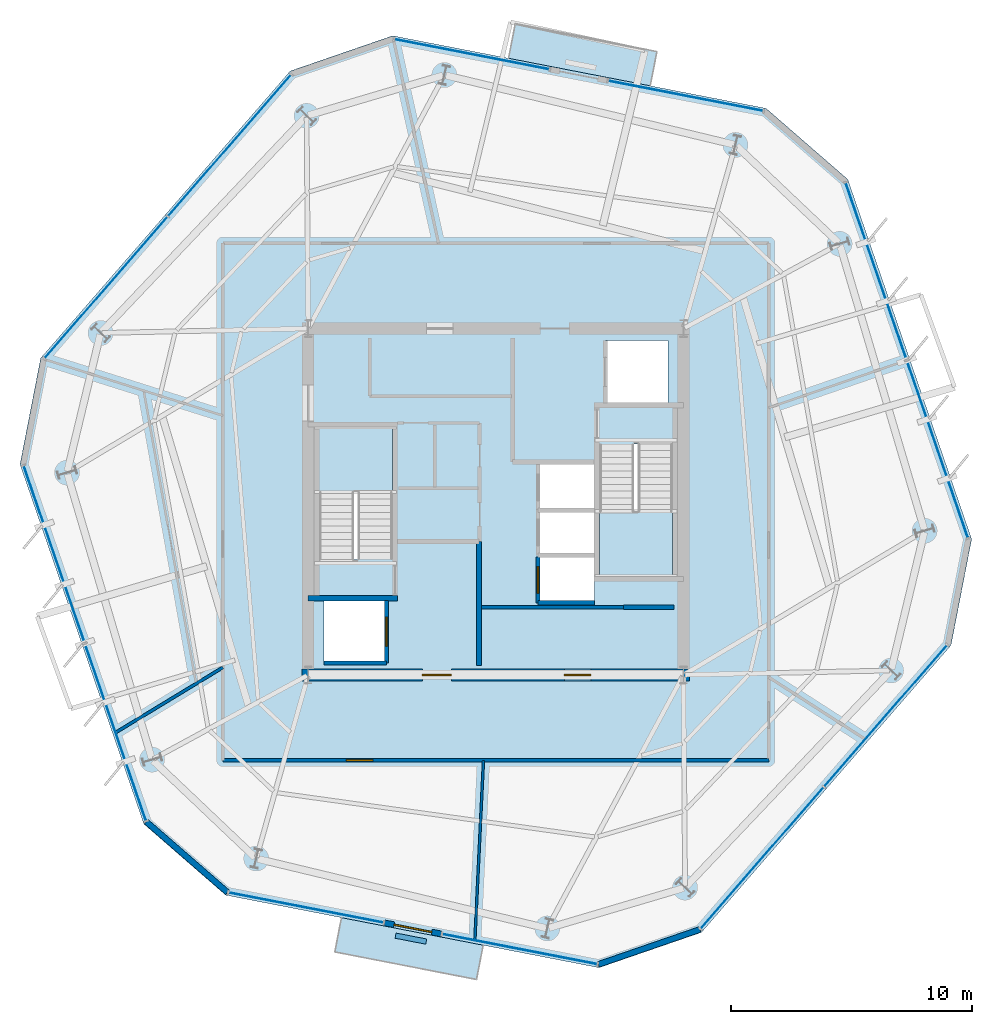
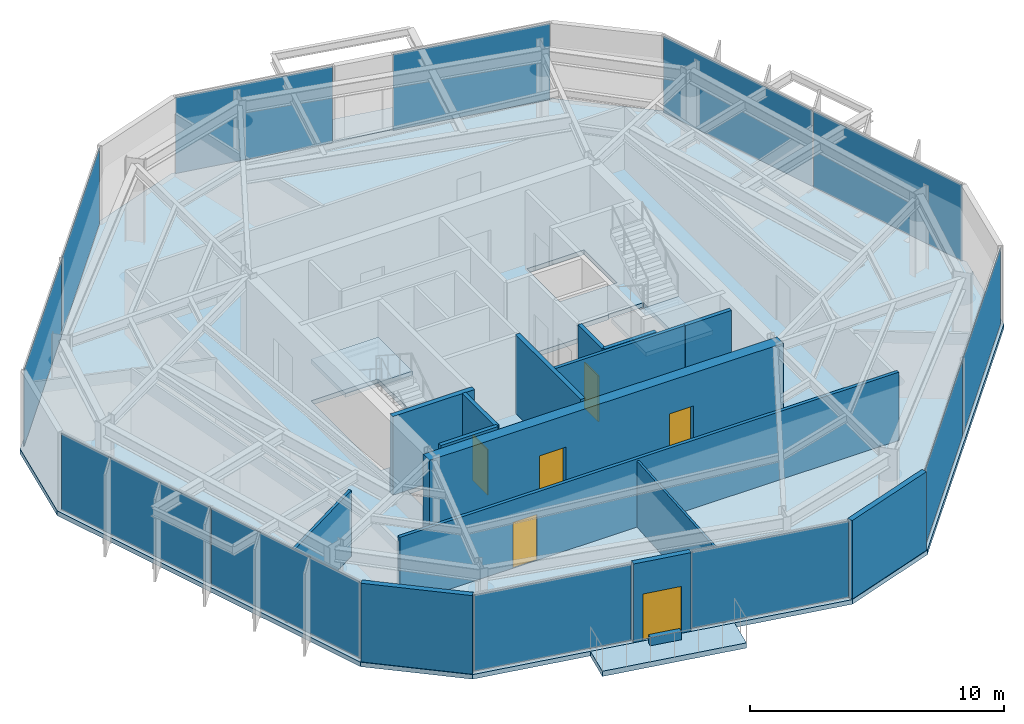
# One storey, part 6 of 11: 16 walls, 12 plates, 6 doors, 5 slabs, 6 openings, 10 elements without a shape of their own.
"""IFC4 building model written with IfcOpenShell, lengths in metres."""

import ifcopenshell
import ifcopenshell.guid

model = None  # the IFC model being written
_history = None  # IfcOwnerHistory: only IFC2X3 demands one
_inside = {}  # id of a spatial element -> (the spatial element, [elements in it])
_under = {}  # id of a project, library or spatial element -> (it, [spatial elements below it])
_declared = {}  # id of a project -> (the project, [libraries it declares])
_typed = {}  # id of a type object -> (the type object, [elements of that type])
_made_of = {}  # id of a material, layer set ... -> (it, [elements and type objects made of it])


def new_model(schema):
    """Start an empty IFC model of exactly this schema.

    Asked for "IFC4X3", IfcOpenShell would pick the latest addendum, in which some entities
    have other attributes; the version numbers below select the first issue.
    IFC2X3 requires an IfcOwnerHistory on every rooted entity: one is made here for all.
    """
    global model, _history
    if schema == "IFC4X3":
        model = ifcopenshell.file(schema_version=(4, 3, 0, 0))
    else:
        model = ifcopenshell.file(schema=schema)
    _inside.clear()
    _under.clear()
    _declared.clear()
    _typed.clear()
    _made_of.clear()
    _history = None
    if model.schema == "IFC2X3":
        org = make("IfcOrganization", Name="unknown")
        user = make(
            "IfcPersonAndOrganization",
            ThePerson=make("IfcPerson", FamilyName="unknown"),
            TheOrganization=org,
        )
        app = make(
            "IfcApplication",
            ApplicationDeveloper=org,
            Version="unknown",
            ApplicationFullName="unknown",
            ApplicationIdentifier="unknown",
        )
        _history = make(
            "IfcOwnerHistory",
            OwningUser=user,
            OwningApplication=app,
            ChangeAction="ADDED",
            CreationDate=0,
        )
    return model


def make(cls, **values):
    """One entity of the class cls with the attributes given. An attribute that is None is left unset."""
    return model.create_entity(
        cls, **{name: value for name, value in values.items() if value is not None}
    )


def rooted(cls, **values):
    """An entity with a GlobalId (a new one), such as an element, a storey or a relation."""
    return make(cls, GlobalId=ifcopenshell.guid.new(), OwnerHistory=_history, **values)


def si_unit(unit_type, name, prefix=None):
    """IfcSIUnit, for example si_unit("LENGTHUNIT", "METRE", prefix="MILLI")."""
    return make("IfcSIUnit", UnitType=unit_type, Prefix=prefix, Name=name)


def assignment(units):
    """IfcUnitAssignment: the units of a project."""
    return None if units is None else make("IfcUnitAssignment", Units=units)


def point(xyz):
    """IfcCartesianPoint."""
    return None if xyz is None else make("IfcCartesianPoint", Coordinates=xyz)


def direction(xyz):
    """IfcDirection."""
    return None if xyz is None else make("IfcDirection", DirectionRatios=xyz)


def frame(location, z_axis=None, x_axis=None):
    """IfcAxis2Placement3D, a coordinate frame: its origin and axes. An axis left out is left unset."""
    return make(
        "IfcAxis2Placement3D",
        Location=point(location),
        Axis=direction(z_axis),
        RefDirection=direction(x_axis),
    )


def frame_2d(location, x_axis=None):
    """IfcAxis2Placement2D, a coordinate frame in the plane: its origin and x axis."""
    return make(
        "IfcAxis2Placement2D", Location=point(location), RefDirection=direction(x_axis)
    )


def origin():
    """The frame at (0, 0, 0) with its axes left unset."""
    return frame((0.0, 0.0, 0.0))


def origin_2d():
    """The frame at (0, 0) in the plane with its x axis left unset."""
    return frame_2d((0.0, 0.0))


def place(relative_to, where):
    """IfcLocalPlacement: puts the frame where relative to a parent placement (None: the world)."""
    return make(
        "IfcLocalPlacement", PlacementRelTo=relative_to, RelativePlacement=where
    )


def context(
    kind, dimensions, precision=None, world=None, true_north=None, identifier=None
):
    """IfcGeometricRepresentationContext, for example the 3D "Model" context."""
    return make(
        "IfcGeometricRepresentationContext",
        ContextIdentifier=identifier,
        ContextType=kind,
        CoordinateSpaceDimension=dimensions,
        Precision=precision,
        WorldCoordinateSystem=world,
        TrueNorth=true_north,
    )


def subcontext(parent, identifier, kind, view, scale=None):
    """IfcGeometricRepresentationSubContext, for example "Body" below "Model"."""
    return make(
        "IfcGeometricRepresentationSubContext",
        ContextIdentifier=identifier,
        ContextType=kind,
        ParentContext=parent,
        TargetScale=scale,
        TargetView=view,
    )


def project(units=None, contexts=None):
    """IfcProject with its units and contexts."""
    return rooted(
        "IfcProject",
        Name="project",
        RepresentationContexts=contexts,
        UnitsInContext=assignment(units),
    )


def spatial(cls, under=None, at=None, **own):
    """A site, building, storey or space (cls), placed at a placement, below another one or the project."""
    s = rooted(cls, ObjectPlacement=at, **own)
    if under is not None:
        _under.setdefault(under.id(), (under, []))[1].append(s)
    return s


def polyline(points):
    """IfcPolyline through the points."""
    return make("IfcPolyline", Points=[point(p) for p in points])


def profile(cls, at=None, kind="AREA", **sizes):
    """A parametric profile (cls). Its sizes go by their IFC names, for example OverallWidth=200.0."""
    return make(cls, ProfileType=kind, Position=at, **sizes)


def rectangle(**sizes):
    """IfcRectangleProfileDef."""
    return profile("IfcRectangleProfileDef", **sizes)


def outline(outer, holes=None, kind="AREA"):
    """IfcArbitraryClosedProfileDef: a profile drawn as a closed curve; with holes, ...WithVoids."""
    if holes is None:
        return make("IfcArbitraryClosedProfileDef", ProfileType=kind, OuterCurve=outer)
    return make(
        "IfcArbitraryProfileDefWithVoids",
        ProfileType=kind,
        OuterCurve=outer,
        InnerCurves=holes,
    )


def extrude(swept, where, along, depth):
    """IfcExtrudedAreaSolid: the profile swept, set in the frame where, extruded along a direction by depth."""
    return make(
        "IfcExtrudedAreaSolid",
        SweptArea=swept,
        Position=where,
        ExtrudedDirection=direction(along),
        Depth=depth,
    )


def shape(context_of_items, identifier, shape_type, items):
    """IfcShapeRepresentation: the items that make up one representation, for example the "Body"."""
    return make(
        "IfcShapeRepresentation",
        ContextOfItems=context_of_items,
        RepresentationIdentifier=identifier,
        RepresentationType=shape_type,
        Items=items,
    )


def material(Name=None, Category=None):
    """IfcMaterial."""
    return make("IfcMaterial", Name=Name, Category=Category)


def layer(
    of_material, thickness, ventilated=None, Name=None, Category=None, Priority=None
):
    """IfcMaterialLayer: one layer of a wall or slab, of a material (None: an air gap)."""
    return make(
        "IfcMaterialLayer",
        Material=of_material,
        LayerThickness=thickness,
        IsVentilated=ventilated,
        Name=Name,
        Category=Category,
        Priority=Priority,
    )


def layer_set(layers, Name=None):
    """IfcMaterialLayerSet."""
    return make("IfcMaterialLayerSet", MaterialLayers=layers, LayerSetName=Name)


def made_of(thing, what):
    """Note that an element or type object is made of a material, layer set ...; save() writes the relation."""
    if what is not None:
        _made_of.setdefault(what.id(), (what, []))[1].append(thing)
    return thing


def type_object(cls, material=None, **own):
    """A type object (cls), such as IfcWallType, which elements share."""
    return made_of(rooted(cls, **own), material)


def element(
    cls,
    number,
    at=None,
    inside=None,
    cuts=None,
    type_object=None,
    material=None,
    context=None,
    identifier="Body",
    shape_type=None,
    held_by="IfcProductDefinitionShape",
    body=None,
    shapes=None,
    **own,
):
    """One element of the class cls, such as IfcWall. Its Tag is "e" and its number.

    at: its placement. inside: the storey or other place that contains it. cuts: it is an
    opening in that element (IfcRelVoidsElement). A single representation is given by context,
    identifier, shape_type and body (its items); several are given by shapes. held_by: the class
    of the entity that holds the representations. save() writes the other relations.
    """
    e = rooted(cls, Tag="e%d" % number, ObjectPlacement=at, **own)
    if body is not None:
        shapes = [shape(context, identifier, shape_type, body)]
    if shapes is not None:
        e.Representation = make(held_by, Representations=shapes)
    if inside is not None:
        _inside.setdefault(inside.id(), (inside, []))[1].append(e)
    if cuts is not None:
        rooted(
            "IfcRelVoidsElement", RelatingBuildingElement=cuts, RelatedOpeningElement=e
        )
    if type_object is not None:
        _typed.setdefault(type_object.id(), (type_object, []))[1].append(e)
    return made_of(e, material)


def fill(opening, filler):
    """IfcRelFillsElement: the door or window that sits in an opening."""
    return rooted(
        "IfcRelFillsElement",
        RelatingOpeningElement=opening,
        RelatedBuildingElement=filler,
    )


def aggregate(whole, parts):
    """IfcRelAggregates: a whole, such as a stair, and the parts it consists of."""
    return rooted("IfcRelAggregates", RelatingObject=whole, RelatedObjects=parts)


def save(model, path):
    """Write the relations noted so far, then the file.

    IfcRelAggregates (storeys below a building ...), IfcRelContainedInSpatialStructure (elements
    in a storey), IfcRelDefinesByType, IfcRelAssociatesMaterial and IfcRelDeclares: one each for
    every whole, place, type object, material and project.
    """
    for whole, parts in _under.values():
        aggregate(whole, parts)
    for where, things in _inside.values():
        rooted(
            "IfcRelContainedInSpatialStructure",
            RelatedElements=things,
            RelatingStructure=where,
        )
    for kind, things in _typed.values():
        rooted("IfcRelDefinesByType", RelatedObjects=things, RelatingType=kind)
    for what, things in _made_of.values():
        rooted("IfcRelAssociatesMaterial", RelatedObjects=things, RelatingMaterial=what)
    for by, libraries in _declared.values():
        rooted("IfcRelDeclares", RelatingContext=by, RelatedDefinitions=libraries)
    model.write(path)


model = new_model("IFC4")

# Units and contexts
model_context = context("Model", 3, precision=1e-05, world=origin(), true_north=direction((0.0, 1.0)))
body_context = subcontext(model_context, "Body", "Model", "MODEL_VIEW")
ifc_project = project(units=[si_unit("LENGTHUNIT", "METRE"), si_unit("AREAUNIT", "SQUARE_METRE"), si_unit("VOLUMEUNIT", "CUBIC_METRE"), si_unit("PLANEANGLEUNIT", "RADIAN"), si_unit("MASSUNIT", "GRAM", prefix="KILO")], contexts=[model_context])

# Site, building, storey
site_placement = place(None, origin())
site = spatial("IfcSite", under=ifc_project, at=site_placement, CompositionType="ELEMENT")
building_placement = place(site_placement, origin())
building = spatial("IfcBuilding", under=site, at=building_placement, Name="Kranzbogen Civic Tower", CompositionType="ELEMENT")
storey_placement = place(building_placement, frame((0.0, 0.0, 220.800048828125)))
storey = spatial("IfcBuildingStorey", under=building, at=storey_placement, Name="L53", CompositionType="ELEMENT", Elevation=220.800048828125)

# Slab
ifc_material_1 = material(Name="Concrete C40/50", Category="concrete")
ifc_layer_1 = layer(ifc_material_1, 0.219970703125, Name="Concrete C40/50")
ifc_layer_set_1 = layer_set([ifc_layer_1], Name="Concrete C40/50")
slab_type_1 = type_object("IfcSlabType", Name="Composite Upper Tower Floor Slab 220 mm", PredefinedType="FLOOR", material=ifc_layer_set_1)
slab_1_placement = place(storey_placement, frame((0.0, 0.0, -0.219970703125)))
element("IfcSlab", 1, at=slab_1_placement, inside=storey, type_object=slab_type_1, Name="L53 tower floor slab", PredefinedType="FLOOR", context=body_context, shape_type="SweptSolid", body=[
    extrude(outline(polyline([(36.237060546875, 41.35595703125), (20.7080078125, 44.375), (16.4541015625, 42.909912109375), (6.074951171875, 30.970947265625), (5.216064453125, 26.552978515625), (10.366943359375, 11.595947265625), (13.762939453125, 8.64404296875), (29.2919921875, 5.625), (33.5458984375, 7.090087890625), (43.925048828125, 19.029052734375), (44.783935546875, 23.447021484375), (39.633056640625, 38.404052734375), (36.237060546875, 41.35595703125)]), holes=[polyline([(17.85009765625, 20.89990234375), (20.449951171875, 20.89990234375), (20.449951171875, 18.300048828125), (17.85009765625, 18.300048828125), (17.85009765625, 20.89990234375)]), polyline([(29.10009765625, 22.699951171875), (29.10009765625, 20.800048828125), (26.75, 20.800048828125), (26.75, 22.699951171875), (29.10009765625, 22.699951171875)]), polyline([(29.10009765625, 24.64990234375), (29.10009765625, 22.77490234375), (26.75, 22.77490234375), (26.75, 24.64990234375), (26.75, 24.675048828125), (26.75, 26.550048828125), (29.10009765625, 26.550048828125), (29.10009765625, 24.675048828125), (29.10009765625, 24.64990234375)]), polyline([(29.300048828125, 27.340087890625), (30.75, 27.340087890625), (30.75, 27.39990234375), (32.35009765625, 27.39990234375), (32.35009765625, 21.89990234375), (29.300048828125, 21.89990234375), (29.300048828125, 27.340087890625)]), polyline([(20.699951171875, 22.659912109375), (19.25, 22.659912109375), (19.25, 22.60009765625), (17.64990234375, 22.60009765625), (17.64990234375, 28.10009765625), (20.699951171875, 28.10009765625), (20.699951171875, 22.659912109375)]), polyline([(32.14990234375, 31.699951171875), (32.14990234375, 29.10009765625), (29.550048828125, 29.10009765625), (29.550048828125, 31.699951171875), (32.14990234375, 31.699951171875)])]), origin(), (0.0, 0.0, 1.0), 0.219970703125),
])

# Curtain wall, plate
ifc_material_2 = material(Name="Pale Anodised Aluminium", Category="aluminium")
ifc_layer_2 = layer(ifc_material_2, 0.219970703125, Name="Pale Anodised Aluminium")
ifc_layer_set_2 = layer_set([ifc_layer_2], Name="Pale Anodised Aluminium")
curtain_wall_type = type_object("IfcCurtainWallType", Name="Zone 3 Stick Curtain Wall System CW-04", PredefinedType="USERDEFINED", material=ifc_layer_set_2)
curtain_wall_1_placement = place(storey_placement, origin())
curtain_wall_1 = element("IfcCurtainWall", 2, at=curtain_wall_1_placement, inside=storey, type_object=curtain_wall_type, Name="L53 curtain wall CW-L53-F1-S1", ObjectType="STICK CURTAIN WALL", PredefinedType="USERDEFINED")
ifc_material_3 = material(Name="Low-E Triple Glazing Glass", Category="glass")
ifc_layer_3 = layer(ifc_material_3, 0.030029296875, Name="Low-E Triple Glazing Glass")
ifc_layer_set_3 = layer_set([ifc_layer_3], Name="Low-E Triple Glazing Glass")
plate_type = type_object("IfcPlateType", Name="Insulated Low-E Glazing Panel 30 mm", PredefinedType="CURTAIN_PANEL", material=ifc_layer_set_3)
plate_1_placement = place(storey_placement, frame((32.892578125, 41.87548828125, 0.06005859375), z_axis=(0.0, 0.0, 1.0), x_axis=(-0.981641195135, 0.190736897361, 0.0)))
plate_1 = element("IfcPlate", 3, at=plate_1_placement, type_object=plate_type, Name="CW-04 panel 1.1", PredefinedType="CURTAIN_PANEL", context=body_context, shape_type="SweptSolid", body=[
    extrude(rectangle(XDim=6.533203125, YDim=0.028076171875, at=origin_2d()), origin(), (0.0, 0.0, 1.0), 3.659912109375),
])
aggregate(curtain_wall_1, [plate_1])

curtain_wall_2_placement = place(storey_placement, origin())
curtain_wall_2 = element("IfcCurtainWall", 4, at=curtain_wall_2_placement, inside=storey, type_object=curtain_wall_type, Name="L53 curtain wall CW-L53-F1-S2", ObjectType="STICK CURTAIN WALL", PredefinedType="USERDEFINED")
plate_2_placement = place(storey_placement, frame((24.00439453125, 43.60302734375, 0.06005859375), z_axis=(0.0, 0.0, 1.0), x_axis=(-0.981623990701, 0.190825419902, 0.0)))
plate_2 = element("IfcPlate", 5, at=plate_2_placement, type_object=plate_type, Name="CW-04 panel 1.1", PredefinedType="CURTAIN_PANEL", context=body_context, shape_type="SweptSolid", body=[
    extrude(rectangle(XDim=6.535400390625, YDim=0.028076171875, at=origin_2d()), origin(), (0.0, 0.0, 1.0), 3.659912109375),
])
aggregate(curtain_wall_2, [plate_2])

# Curtain wall, plates
curtain_wall_3_placement = place(storey_placement, origin())
curtain_wall_3 = element("IfcCurtainWall", 6, at=curtain_wall_3_placement, inside=storey, type_object=curtain_wall_type, Name="L53 curtain wall CW-L53-F2", ObjectType="STICK CURTAIN WALL", PredefinedType="USERDEFINED")
plate_3_placement = place(storey_placement, frame((13.927978515625, 39.808837890625, 0.06005859375), z_axis=(0.0, 0.0, 1.0), x_axis=(-0.656044731829, -0.754722008318, 0.0)))
plate_3 = element("IfcPlate", 7, at=plate_3_placement, type_object=plate_type, Name="CW-04 panel 1.1", PredefinedType="CURTAIN_PANEL", context=body_context, shape_type="SweptSolid", body=[
    extrude(rectangle(XDim=7.763916015625, YDim=0.028076171875, at=origin_2d()), origin(), (0.0, 0.0, 1.0), 3.659912109375),
])
plate_4_placement = place(storey_placement, frame((8.795166015625, 33.904052734375, 0.06005859375), z_axis=(0.0, 0.0, 1.0), x_axis=(-0.656044731829, -0.754722008318, 0.0)))
plate_4 = element("IfcPlate", 8, at=plate_4_placement, type_object=plate_type, Name="CW-04 panel 2.1", PredefinedType="CURTAIN_PANEL", context=body_context, shape_type="SweptSolid", body=[
    extrude(rectangle(XDim=7.763916015625, YDim=0.028076171875, at=origin_2d()), origin(), (0.0, 0.0, 1.0), 3.659912109375),
])
aggregate(curtain_wall_3, [plate_3, plate_4])

curtain_wall_4_placement = place(storey_placement, origin())
curtain_wall_4 = element("IfcCurtainWall", 9, at=curtain_wall_4_placement, inside=storey, type_object=curtain_wall_type, Name="L53 curtain wall CW-L53-F3", ObjectType="STICK CURTAIN WALL", PredefinedType="USERDEFINED")
plate_5_placement = place(storey_placement, frame((6.639404296875, 22.815185546875, 0.06005859375), z_axis=(0.0, 0.0, 1.0), x_axis=(0.325590387457, -0.945510919871, 0.0)))
plate_5 = element("IfcPlate", 10, at=plate_5_placement, type_object=plate_type, Name="CW-04 panel 1.1", PredefinedType="CURTAIN_PANEL", context=body_context, shape_type="SweptSolid", body=[
    extrude(rectangle(XDim=7.763427734375, YDim=0.028076171875, at=origin_2d()), origin(), (0.0, 0.0, 1.0), 3.659912109375),
])
plate_6_placement = place(storey_placement, frame((9.1865234375, 15.41796875, 0.06005859375), z_axis=(0.0, 0.0, 1.0), x_axis=(0.325590387457, -0.945510919871, 0.0)))
plate_6 = element("IfcPlate", 11, at=plate_6_placement, type_object=plate_type, Name="CW-04 panel 2.1", PredefinedType="CURTAIN_PANEL", context=body_context, shape_type="SweptSolid", body=[
    extrude(rectangle(XDim=7.763427734375, YDim=0.028076171875, at=origin_2d()), origin(), (0.0, 0.0, 1.0), 3.659912109375),
])
aggregate(curtain_wall_4, [plate_5, plate_6])

# Curtain wall, plate
curtain_wall_5_placement = place(storey_placement, origin())
curtain_wall_5 = element("IfcCurtainWall", 12, at=curtain_wall_5_placement, inside=storey, type_object=curtain_wall_type, Name="L53 curtain wall CW-L53-F4-S1", ObjectType="STICK CURTAIN WALL", PredefinedType="USERDEFINED")
plate_7_placement = place(storey_placement, frame((17.107421875, 8.12451171875, 0.06005859375), z_axis=(0.0, 0.0, 1.0), x_axis=(0.981641195135, -0.190736897361, 0.0)))
plate_7 = element("IfcPlate", 13, at=plate_7_placement, type_object=plate_type, Name="CW-04 panel 1.1", PredefinedType="CURTAIN_PANEL", context=body_context, shape_type="SweptSolid", body=[
    extrude(rectangle(XDim=6.533203125, YDim=0.028076171875, at=origin_2d()), origin(), (0.0, 0.0, 1.0), 3.659912109375),
])
aggregate(curtain_wall_5, [plate_7])

curtain_wall_6_placement = place(storey_placement, origin())
curtain_wall_6 = element("IfcCurtainWall", 14, at=curtain_wall_6_placement, inside=storey, type_object=curtain_wall_type, Name="L53 curtain wall CW-L53-F4-S2", ObjectType="STICK CURTAIN WALL", PredefinedType="USERDEFINED")
plate_8_placement = place(storey_placement, frame((25.99560546875, 6.39697265625, 0.06005859375), z_axis=(0.0, 0.0, 1.0), x_axis=(0.981623990701, -0.190825419902, 0.0)))
plate_8 = element("IfcPlate", 15, at=plate_8_placement, type_object=plate_type, Name="CW-04 panel 1.1", PredefinedType="CURTAIN_PANEL", context=body_context, shape_type="SweptSolid", body=[
    extrude(rectangle(XDim=6.535400390625, YDim=0.028076171875, at=origin_2d()), origin(), (0.0, 0.0, 1.0), 3.659912109375),
])
aggregate(curtain_wall_6, [plate_8])

# Curtain wall, plates
curtain_wall_7_placement = place(storey_placement, origin())
curtain_wall_7 = element("IfcCurtainWall", 16, at=curtain_wall_7_placement, inside=storey, type_object=curtain_wall_type, Name="L53 curtain wall CW-L53-F5", ObjectType="STICK CURTAIN WALL", PredefinedType="USERDEFINED")
plate_9_placement = place(storey_placement, frame((36.072021484375, 10.191162109375, 0.06005859375), z_axis=(0.0, 0.0, 1.0), x_axis=(0.656044731829, 0.754722008318, 0.0)))
plate_9 = element("IfcPlate", 17, at=plate_9_placement, type_object=plate_type, Name="CW-04 panel 1.1", PredefinedType="CURTAIN_PANEL", context=body_context, shape_type="SweptSolid", body=[
    extrude(rectangle(XDim=7.763916015625, YDim=0.028076171875, at=origin_2d()), origin(), (0.0, 0.0, 1.0), 3.659912109375),
])
plate_10_placement = place(storey_placement, frame((41.204833984375, 16.095947265625, 0.06005859375), z_axis=(0.0, 0.0, 1.0), x_axis=(0.656044731829, 0.754722008318, 0.0)))
plate_10 = element("IfcPlate", 18, at=plate_10_placement, type_object=plate_type, Name="CW-04 panel 2.1", PredefinedType="CURTAIN_PANEL", context=body_context, shape_type="SweptSolid", body=[
    extrude(rectangle(XDim=7.763916015625, YDim=0.028076171875, at=origin_2d()), origin(), (0.0, 0.0, 1.0), 3.659912109375),
])
aggregate(curtain_wall_7, [plate_9, plate_10])

curtain_wall_8_placement = place(storey_placement, origin())
curtain_wall_8 = element("IfcCurtainWall", 19, at=curtain_wall_8_placement, inside=storey, type_object=curtain_wall_type, Name="L53 curtain wall CW-L53-F6", ObjectType="STICK CURTAIN WALL", PredefinedType="USERDEFINED")
plate_11_placement = place(storey_placement, frame((43.360595703125, 27.184814453125, 0.06005859375), z_axis=(0.0, 0.0, 1.0), x_axis=(-0.325590387457, 0.945510919871, 0.0)))
plate_11 = element("IfcPlate", 20, at=plate_11_placement, type_object=plate_type, Name="CW-04 panel 1.1", PredefinedType="CURTAIN_PANEL", context=body_context, shape_type="SweptSolid", body=[
    extrude(rectangle(XDim=7.763427734375, YDim=0.028076171875, at=origin_2d()), origin(), (0.0, 0.0, 1.0), 3.659912109375),
])
plate_12_placement = place(storey_placement, frame((40.8134765625, 34.58203125, 0.06005859375), z_axis=(0.0, 0.0, 1.0), x_axis=(-0.325590387457, 0.945510919871, 0.0)))
plate_12 = element("IfcPlate", 21, at=plate_12_placement, type_object=plate_type, Name="CW-04 panel 2.1", PredefinedType="CURTAIN_PANEL", context=body_context, shape_type="SweptSolid", body=[
    extrude(rectangle(XDim=7.763427734375, YDim=0.028076171875, at=origin_2d()), origin(), (0.0, 0.0, 1.0), 3.659912109375),
])
aggregate(curtain_wall_8, [plate_11, plate_12])

# Stair, slab
ifc_material_4 = material(Name="Precast concrete C40/50", Category="concrete")
stair_type_1 = type_object("IfcStairType", Name="Tower Core Pressurized Dogleg Stair 1450", PredefinedType="HALF_TURN_STAIR", material=ifc_material_4)
stair_1_placement = place(storey_placement, origin())
stair_1 = element("IfcStair", 22, at=stair_1_placement, inside=storey, type_object=stair_type_1, Name="L53 Tower Core Pressurized Stair 1", PredefinedType="HALF_TURN_STAIR")
ifc_layer_4 = layer(ifc_material_4, 0.199951171875, Name="Precast concrete C40/50")
ifc_layer_set_4 = layer_set([ifc_layer_4], Name="Precast concrete C40/50")
slab_type_2 = type_object("IfcSlabType", Name="Precast Concrete Stair Landing Slab 200 mm", PredefinedType="LANDING", material=ifc_layer_set_4)
slab_2_placement = place(storey_placement, frame((0.0, 0.0, 1.800048828125)))
slab_2 = element("IfcSlab", 23, at=slab_2_placement, type_object=slab_type_2, Name="ST-T1 landing 1", PredefinedType="LANDING", context=body_context, shape_type="SweptSolid", body=[
    extrude(outline(polyline([(20.699951171875, 25.39990234375), (20.699951171875, 28.10009765625), (17.64990234375, 28.10009765625), (17.64990234375, 25.39990234375), (20.699951171875, 25.39990234375)])), origin(), (0.0, 0.0, 1.0), 0.199951171875),
])
aggregate(stair_1, [slab_2])

stair_type_2 = type_object("IfcStairType", Name="Tower Core Secondary Dogleg Stair 1450", PredefinedType="HALF_TURN_STAIR", material=ifc_material_4)
stair_2_placement = place(storey_placement, origin())
stair_2 = element("IfcStair", 24, at=stair_2_placement, inside=storey, type_object=stair_type_2, Name="L53 Tower Core Pressurized Stair 2", PredefinedType="HALF_TURN_STAIR")
slab_3_placement = place(storey_placement, frame((0.0, 0.0, 1.800048828125)))
slab_3 = element("IfcSlab", 25, at=slab_3_placement, type_object=slab_type_2, Name="ST-T2 landing 1", PredefinedType="LANDING", context=body_context, shape_type="SweptSolid", body=[
    extrude(outline(polyline([(29.300048828125, 24.60009765625), (29.300048828125, 21.89990234375), (32.35009765625, 21.89990234375), (32.35009765625, 24.60009765625), (29.300048828125, 24.60009765625)])), origin(), (0.0, 0.0, 1.0), 0.199951171875),
])
aggregate(stair_2, [slab_3])

# Slabs
ifc_layer_5 = layer(ifc_material_1, 0.25, Name="Concrete C40/50")
ifc_layer_set_5 = layer_set([ifc_layer_5], Name="Concrete C40/50")
slab_type_3 = type_object("IfcSlabType", Name="Tree Balcony Cantilevered Slab 250 mm", PredefinedType="FLOOR", material=ifc_layer_set_5)
slab_4_placement = place(storey_placement, frame((0.0, 0.0, -0.25)))
element("IfcSlab", 26, at=slab_4_placement, inside=storey, type_object=slab_type_3, Name="L53 cantilevered tree balcony L53-TB1", PredefinedType="FLOOR", context=body_context, shape_type="SweptSolid", body=[
    extrude(outline(polyline([(31.41796875, 42.29296875), (25.528076171875, 43.43798828125), (25.804931640625, 44.861083984375), (31.695068359375, 43.716064453125), (31.41796875, 42.29296875)])), origin(), (0.0, 0.0, 1.0), 0.25),
])
slab_5_placement = place(storey_placement, frame((0.0, 0.0, -0.25)))
element("IfcSlab", 27, at=slab_5_placement, inside=storey, type_object=slab_type_3, Name="L53 cantilevered tree balcony L53-TB2", PredefinedType="FLOOR", context=body_context, shape_type="SweptSolid", body=[
    extrude(outline(polyline([(18.58203125, 7.70703125), (24.471923828125, 6.56201171875), (24.195068359375, 5.138916015625), (18.304931640625, 6.283935546875), (18.58203125, 7.70703125)])), origin(), (0.0, 0.0, 1.0), 0.25),
])

# Wall
ifc_material_5 = material(Name="Double-Stud Acoustic Gypsum Partition")
ifc_layer_6 = layer(ifc_material_5, 0.14990234375, Name="Double-Stud Acoustic Gypsum Partition")
ifc_layer_set_6 = layer_set([ifc_layer_6], Name="Double-Stud Acoustic Gypsum Partition")
wall_type_1 = type_object("IfcWallType", Name="Acoustic Corridor and Clinical Partition 150 mm", PredefinedType="PARTITIONING", material=ifc_layer_set_6)
wall_1_placement = place(storey_placement, frame((24.39990234375, 20.610107421875, 0.0), z_axis=(0.0, 0.0, 1.0), x_axis=(1.0, 0.0, 0.0)))
element("IfcWall", 28, at=wall_1_placement, inside=storey, type_object=wall_type_1, Name="L53 records zone North wall", PredefinedType="PARTITIONING", context=body_context, shape_type="SweptSolid", body=[
    extrude(rectangle(XDim=5.900146484375, YDim=0.14990234375, at=frame_2d((2.9501953125, 0.0))), origin(), (0.0, 0.0, 1.0), 3.780029296875),
])

# Wall, opening, door
wall_2_placement = place(storey_placement, frame((36.35009765625, 14.25, 0.0), z_axis=(0.0, 0.0, 1.0), x_axis=(-1.0, 0.0, 0.0)))
wall_2 = element("IfcWall", 29, at=wall_2_placement, inside=storey, type_object=wall_type_1, Name="L53 corridor partition 03", PredefinedType="PARTITIONING", context=body_context, shape_type="SweptSolid", body=[
    extrude(rectangle(XDim=22.7001953125, YDim=0.14990234375, at=frame_2d((11.35009765625, 0.0))), origin(), (0.0, 0.0, 1.0), 3.280029296875),
])
opening_1_placement = place(wall_2_placement, frame((16.4609375, 0.0, 0.0)))
opening_1 = element("IfcOpeningElement", 30, at=opening_1_placement, cuts=wall_2, Name="Opening D-COR60", PredefinedType="OPENING", context=body_context, shape_type="SweptSolid", body=[
    extrude(rectangle(XDim=1.10009765625, YDim=2.199951171875, at=frame_2d((0.550048828125, 1.10009765625))), frame((0.0, 0.0849609375, 0.0), z_axis=(0.0, -1.0, 0.0), x_axis=(1.0, 0.0, 0.0)), (0.0, 0.0, 1.0), 0.169921875),
])
ifc_material_6 = material(Name="Oak Timber and Fire Core", Category="wood")
door_type_1 = type_object("IfcDoorType", Name="Corridor Acoustic Fire Door 1100x2200", OperationType="NOTDEFINED", PredefinedType="DOOR", material=ifc_material_6)
door_1_placement = place(opening_1_placement, origin())
door_1 = element("IfcDoor", 31, at=door_1_placement, inside=storey, type_object=door_type_1, Name="L53 Protocol Dining Room door", OperationType="SINGLE_SWING_RIGHT", OverallHeight=2.199951171875, OverallWidth=1.10009765625, PredefinedType="DOOR", context=body_context, shape_type="SweptSolid", body=[
    extrude(rectangle(XDim=1.10009765625, YDim=2.199951171875, at=frame_2d((0.550048828125, 1.10009765625))), frame((0.0, 0.02490234375, 0.0), z_axis=(0.0, -1.0, 0.0), x_axis=(1.0, 0.0, 0.0)), (0.0, 0.0, 1.0), 0.050048828125),
])
fill(opening_1, door_1)

# Walls
ifc_material_7 = material(Name="Insulated Metal-Stud Gypsum Partition")
ifc_layer_7 = layer(ifc_material_7, 0.125, Name="Insulated Metal-Stud Gypsum Partition")
ifc_layer_set_7 = layer_set([ifc_layer_7], Name="Insulated Metal-Stud Gypsum Partition")
wall_type_2 = type_object("IfcWallType", Name="Acoustic Inter-Room Partition 125 mm", PredefinedType="PARTITIONING", material=ifc_layer_set_7)
wall_3_placement = place(storey_placement, frame((13.64990234375, 18.110107421875, 0.0), z_axis=(0.0, 0.0, 1.0), x_axis=(-0.854791979371, -0.518970781454, 0.0)))
element("IfcWall", 32, at=wall_3_placement, inside=storey, type_object=wall_type_2, Name="L53 radial room partition 03", PredefinedType="PARTITIONING", context=body_context, shape_type="SweptSolid", body=[
    extrude(rectangle(XDim=5.19873046875, YDim=0.125, at=frame_2d((2.599365234375, 0.0))), origin(), (0.0, 0.0, 1.0), 3.179931640625),
])
ifc_material_8 = material(Name="Architectural Precast Terracotta Concrete C40/50", Category="masonry")
ifc_layer_8 = layer(ifc_material_8, 0.219970703125, Name="Architectural Precast Terracotta Concrete C40/50")
ifc_layer_set_8 = layer_set([ifc_layer_8], Name="Architectural Precast Terracotta Concrete C40/50")
wall_type_3 = type_object("IfcWallType", Name="Architectural Tree Planter Kerb Wall 220 mm", PredefinedType="USERDEFINED", material=ifc_layer_set_8)
wall_4_placement = place(storey_placement, frame((20.8310546875, 6.9599609375, 0.0), z_axis=(0.0, 0.0, 1.0), x_axis=(0.981621254658, -0.190839493826, 0.0)))
element("IfcWall", 33, at=wall_4_placement, inside=storey, type_object=wall_type_3, Name="L53 landscaped tree balcony planter L53-TB2", ObjectType="PLANTER_WALL", PredefinedType="USERDEFINED", context=body_context, shape_type="SweptSolid", body=[
    extrude(rectangle(XDim=1.2998046875, YDim=0.219970703125, at=frame_2d((0.64990234375, 0.0))), origin(), (0.0, 0.0, 1.0), 0.39990234375),
])

# Wall, openings, doors
ifc_material_9 = material(Name="Concrete C45/55", Category="concrete")
ifc_layer_9 = layer(ifc_material_9, 0.5, Name="Concrete C45/55")
ifc_layer_set_9 = layer_set([ifc_layer_9], Name="Concrete C45/55")
wall_type_4 = type_object("IfcWallType", Name="Central Core Shear Wall 500 mm", PredefinedType="SHEAR", material=ifc_layer_set_9)
wall_5_placement = place(storey_placement, frame((16.949951171875, 17.800048828125, 0.0), z_axis=(0.0, 0.0, 1.0), x_axis=(1.0, 0.0, 0.0)))
wall_5 = element("IfcWall", 34, at=wall_5_placement, inside=storey, type_object=wall_type_4, Name="L53 central core South shear wall", PredefinedType="SHEAR", context=body_context, shape_type="SweptSolid", body=[
    extrude(rectangle(XDim=16.10009765625, YDim=0.5, at=frame_2d((8.050048828125, 0.0))), origin(), (0.0, 0.0, 1.0), 3.780029296875),
])
opening_2_placement = place(wall_5_placement, frame((5.0, 0.0, 0.0)))
opening_2 = element("IfcOpeningElement", 35, at=opening_2_placement, cuts=wall_5, Name="Opening D-EX120", PredefinedType="OPENING", context=body_context, shape_type="SweptSolid", body=[
    extrude(rectangle(XDim=1.199951171875, YDim=2.25, at=frame_2d((0.60009765625, 1.125))), frame((0.0, 0.260009765625, 0.0), z_axis=(0.0, -1.0, 0.0), x_axis=(1.0, 0.0, 0.0)), (0.0, 0.0, 1.0), 0.52001953125),
])
opening_3_placement = place(wall_5_placement, frame((10.89990234375, 0.0, 0.0)))
opening_3 = element("IfcOpeningElement", 36, at=opening_3_placement, cuts=wall_5, Name="Opening D-COR60", PredefinedType="OPENING", context=body_context, shape_type="SweptSolid", body=[
    extrude(rectangle(XDim=1.10009765625, YDim=2.199951171875, at=frame_2d((0.550048828125, 1.10009765625))), frame((0.0, 0.260009765625, 0.0), z_axis=(0.0, -1.0, 0.0), x_axis=(1.0, 0.0, 0.0)), (0.0, 0.0, 1.0), 0.52001953125),
])
door_2_placement = place(opening_3_placement, origin())
door_2 = element("IfcDoor", 37, at=door_2_placement, inside=storey, type_object=door_type_1, Name="L53 REC1 archive room door", OperationType="SINGLE_SWING_RIGHT", OverallHeight=2.199951171875, OverallWidth=1.10009765625, PredefinedType="DOOR", context=body_context, shape_type="SweptSolid", body=[
    extrude(rectangle(XDim=1.10009765625, YDim=2.199951171875, at=frame_2d((0.550048828125, 1.10009765625))), frame((0.0, 0.02490234375, 0.0), z_axis=(0.0, -1.0, 0.0), x_axis=(1.0, 0.0, 0.0)), (0.0, 0.0, 1.0), 0.050048828125),
])
fill(opening_3, door_2)
ifc_material_10 = material(Name="Steel S355", Category="steel")
door_type_2 = type_object("IfcDoorType", Name="Exit Passageway Fire Door 1200x2250", OperationType="NOTDEFINED", PredefinedType="DOOR", material=ifc_material_10)
door_3_placement = place(opening_2_placement, origin())
door_3 = element("IfcDoor", 38, at=door_3_placement, inside=storey, type_object=door_type_2, Name="L53 West firefighting lobby corridor door", OperationType="SINGLE_SWING_LEFT", OverallHeight=2.25, OverallWidth=1.199951171875, PredefinedType="DOOR", context=body_context, shape_type="SweptSolid", body=[
    extrude(rectangle(XDim=1.199951171875, YDim=2.25, at=frame_2d((0.60009765625, 1.125))), frame((0.0, 0.02490234375, 0.0), z_axis=(0.0, -1.0, 0.0), x_axis=(1.0, 0.0, 0.0)), (0.0, 0.0, 1.0), 0.050048828125),
])
fill(opening_2, door_3)

# Walls
ifc_layer_10 = layer(ifc_material_9, 0.219970703125, Name="Concrete C45/55")
ifc_layer_set_10 = layer_set([ifc_layer_10], Name="Concrete C45/55")
wall_type_5 = type_object("IfcWallType", Name="Core Internal Stair Structural Wall 220 mm", PredefinedType="SOLIDWALL", material=ifc_layer_set_10)
wall_6_placement = place(storey_placement, frame((17.199951171875, 20.989990234375, 0.0), z_axis=(0.0, 0.0, 1.0), x_axis=(1.0, 0.0, 0.0)))
element("IfcWall", 39, at=wall_6_placement, inside=storey, type_object=wall_type_5, Name="L53 ST-T1 South structural stair wall", PredefinedType="SOLIDWALL", context=body_context, shape_type="SweptSolid", body=[
    extrude(rectangle(XDim=3.719970703125, YDim=0.219970703125, at=frame_2d((1.85986328125, 0.0))), origin(), (0.0, 0.0, 1.0), 3.780029296875),
])
ifc_material_11 = material(Name="Demountable Aluminium and Gypsum Partition", Category="aluminium")
ifc_layer_11 = layer(ifc_material_11, 0.10009765625, Name="Demountable Aluminium and Gypsum Partition")
ifc_layer_set_11 = layer_set([ifc_layer_11], Name="Demountable Aluminium and Gypsum Partition")
wall_type_6 = type_object("IfcWallType", Name="Demountable Office Partition 100 mm", PredefinedType="MOVABLE", material=ifc_layer_set_11)
wall_7_placement = place(storey_placement, frame((24.486083984375, 14.25, 0.0), z_axis=(0.0, 0.0, 1.0), x_axis=(-0.047872130545, -0.998853472296, 0.0)))
element("IfcWall", 40, at=wall_7_placement, inside=storey, type_object=wall_type_6, Name="L53 radial room partition 04", PredefinedType="MOVABLE", context=body_context, shape_type="SweptSolid", body=[
    extrude(rectangle(XDim=7.4814453125, YDim=0.10009765625, at=frame_2d((3.74072265625, 0.0))), origin(), (0.0, 0.0, 1.0), 3.179931640625),
])
ifc_material_12 = material(Name="Gypsum Fireboard and Concrete Block", Category="concrete")
ifc_layer_12 = layer(ifc_material_12, 0.199951171875, Name="Gypsum Fireboard and Concrete Block")
ifc_layer_set_12 = layer_set([ifc_layer_12], Name="Gypsum Fireboard and Concrete Block")
wall_type_7 = type_object("IfcWallType", Name="Fire-Rated Exit Passageway and Stair Wall 200 mm", PredefinedType="PARTITIONING", material=ifc_layer_set_12)
wall_8_placement = place(storey_placement, frame((24.300048828125, 18.199951171875, 0.0), z_axis=(0.0, 0.0, 1.0), x_axis=(0.0, 1.0, 0.0)))
element("IfcWall", 41, at=wall_8_placement, inside=storey, type_object=wall_type_7, Name="L53 West firefighting lobby East wall", PredefinedType="PARTITIONING", context=body_context, shape_type="SweptSolid", body=[
    extrude(rectangle(XDim=5.150146484375, YDim=0.199951171875, at=frame_2d((2.5751953125, 0.0))), origin(), (0.0, 0.0, 1.0), 3.780029296875),
])
ifc_material_13 = material(Name="Gypsum Fireboard Shaftliner")
ifc_layer_13 = layer(ifc_material_13, 0.175048828125, Name="Gypsum Fireboard Shaftliner")
ifc_layer_set_13 = layer_set([ifc_layer_13], Name="Gypsum Fireboard Shaftliner")
wall_type_8 = type_object("IfcWallType", Name="Fire-Rated Lift and Service Shaft Wall 175 mm", PredefinedType="PARTITIONING", material=ifc_layer_set_13)
wall_9_placement = place(storey_placement, frame((30.300048828125, 20.610107421875, 0.0), z_axis=(0.0, 0.0, 1.0), x_axis=(1.0, 0.0, 0.0)))
element("IfcWall", 42, at=wall_9_placement, inside=storey, type_object=wall_type_8, Name="L53 merged archive North wall", PredefinedType="PARTITIONING", context=body_context, shape_type="SweptSolid", body=[
    extrude(rectangle(XDim=2.099853515625, YDim=0.175048828125, at=frame_2d((1.0498046875, 0.0))), origin(), (0.0, 0.0, 1.0), 3.780029296875),
])

# Wall, opening, door
wall_10_placement = place(storey_placement, frame((26.75, 20.800048828125, 0.0), z_axis=(0.0, 0.0, 1.0), x_axis=(0.0, 1.0, 0.0)))
wall_10 = element("IfcWall", 43, at=wall_10_placement, inside=storey, type_object=wall_type_8, Name="L53 lift HP-01 landing wall", PredefinedType="PARTITIONING", context=body_context, shape_type="SweptSolid", body=[
    extrude(rectangle(XDim=1.89990234375, YDim=0.175048828125, at=frame_2d((0.949951171875, 0.0))), origin(), (0.0, 0.0, 1.0), 3.780029296875),
])
opening_4_placement = place(wall_10_placement, frame((0.39990234375, 0.0, 0.0)))
opening_4 = element("IfcOpeningElement", 44, at=opening_4_placement, cuts=wall_10, Name="Opening LD-HP-01", PredefinedType="OPENING", context=body_context, shape_type="SweptSolid", body=[
    extrude(rectangle(XDim=1.10009765625, YDim=2.199951171875, at=frame_2d((0.550048828125, 1.10009765625))), frame((0.0, 0.09765625, 0.0), z_axis=(0.0, -1.0, 0.0), x_axis=(1.0, 0.0, 0.0)), (0.0, 0.0, 1.0), 0.195068359375),
])
door_type_3 = type_object("IfcDoorType", Name="Passenger Lift Sliding Landing Door 1100x2200", OperationType="DOUBLE_DOOR_SLIDING", PredefinedType="DOOR", material=ifc_material_2)
door_4_placement = place(opening_4_placement, origin())
door_4 = element("IfcDoor", 45, at=door_4_placement, inside=storey, type_object=door_type_3, Name="L53 lift HP-01 sliding landing door", OperationType="DOUBLE_DOOR_SLIDING", OverallHeight=2.199951171875, OverallWidth=1.10009765625, PredefinedType="DOOR", context=body_context, shape_type="SweptSolid", body=[
    extrude(rectangle(XDim=1.10009765625, YDim=2.199951171875, at=frame_2d((0.550048828125, 1.10009765625))), frame((0.0, 0.02490234375, 0.0), z_axis=(0.0, -1.0, 0.0), x_axis=(1.0, 0.0, 0.0)), (0.0, 0.0, 1.0), 0.050048828125),
])
fill(opening_4, door_4)

# Wall
wall_11_placement = place(storey_placement, frame((26.75, 20.800048828125, 0.0), z_axis=(0.0, 0.0, 1.0), x_axis=(1.0, 0.0, 0.0)))
element("IfcWall", 46, at=wall_11_placement, inside=storey, type_object=wall_type_8, Name="L53 lift HP-01 side wall", PredefinedType="PARTITIONING", context=body_context, shape_type="SweptSolid", body=[
    extrude(rectangle(XDim=2.35009765625, YDim=0.175048828125, at=frame_2d((1.175048828125, 0.0))), origin(), (0.0, 0.0, 1.0), 3.780029296875),
])

# Wall, opening, door
wall_12_placement = place(storey_placement, frame((20.449951171875, 18.300048828125, 0.0), z_axis=(0.0, 0.0, 1.0), x_axis=(0.0, 1.0, 0.0)))
wall_12 = element("IfcWall", 47, at=wall_12_placement, inside=storey, type_object=wall_type_8, Name="L53 lift FF-01 landing wall", PredefinedType="PARTITIONING", context=body_context, shape_type="SweptSolid", body=[
    extrude(rectangle(XDim=2.599853515625, YDim=0.175048828125, at=frame_2d((1.2998046875, 0.0))), origin(), (0.0, 0.0, 1.0), 3.780029296875),
])
opening_5_placement = place(wall_12_placement, frame((0.699951171875, 0.0, 0.0)))
opening_5 = element("IfcOpeningElement", 48, at=opening_5_placement, cuts=wall_12, Name="Opening LD-FF-01", PredefinedType="OPENING", context=body_context, shape_type="SweptSolid", body=[
    extrude(rectangle(XDim=1.199951171875, YDim=2.199951171875, at=frame_2d((0.60009765625, 1.10009765625))), frame((0.0, 0.09765625, 0.0), z_axis=(0.0, -1.0, 0.0), x_axis=(1.0, 0.0, 0.0)), (0.0, 0.0, 1.0), 0.195068359375),
])
door_type_4 = type_object("IfcDoorType", Name="Firefighting and Stretcher Lift Sliding Landing Door 1200x2200", OperationType="DOUBLE_DOOR_SLIDING", PredefinedType="DOOR", material=ifc_material_2)
door_5_placement = place(opening_5_placement, origin())
door_5 = element("IfcDoor", 49, at=door_5_placement, inside=storey, type_object=door_type_4, Name="L53 lift FF-01 sliding landing door", OperationType="DOUBLE_DOOR_SLIDING", OverallHeight=2.199951171875, OverallWidth=1.199951171875, PredefinedType="DOOR", context=body_context, shape_type="SweptSolid", body=[
    extrude(rectangle(XDim=1.199951171875, YDim=2.199951171875, at=frame_2d((0.60009765625, 1.10009765625))), frame((0.0, 0.02490234375, 0.0), z_axis=(0.0, -1.0, 0.0), x_axis=(1.0, 0.0, 0.0)), (0.0, 0.0, 1.0), 0.050048828125),
])
fill(opening_5, door_5)

# Walls
wall_13_placement = place(storey_placement, frame((17.85009765625, 18.300048828125, 0.0), z_axis=(0.0, 0.0, 1.0), x_axis=(1.0, 0.0, 0.0)))
element("IfcWall", 50, at=wall_13_placement, inside=storey, type_object=wall_type_8, Name="L53 lift FF-01 side wall", PredefinedType="PARTITIONING", context=body_context, shape_type="SweptSolid", body=[
    extrude(rectangle(XDim=2.599853515625, YDim=0.175048828125, at=frame_2d((1.2998046875, 0.0))), origin(), (0.0, 0.0, 1.0), 3.780029296875),
])
ifc_layer_14 = layer(ifc_material_2, 0.239990234375, Name="Pale Anodised Aluminium")
ifc_layer_set_14 = layer_set([ifc_layer_14], Name="Pale Anodised Aluminium")
wall_type_9 = type_object("IfcWallType", Name="Insulated Aluminium Facade Portal Wall 240 mm", PredefinedType="STANDARD", material=ifc_layer_set_14)
wall_14_placement = place(storey_placement, frame((10.469970703125, 11.69091796875, 0.0), z_axis=(0.0, 0.0, 1.0), x_axis=(0.754644337128, -0.656134075049, 0.0)))
element("IfcWall", 51, at=wall_14_placement, inside=storey, type_object=wall_type_9, Name="L53 chamfered corner facade spandrel 3", PredefinedType="STANDARD", context=body_context, shape_type="SweptSolid", body=[
    extrude(rectangle(XDim=4.468505859375, YDim=0.239990234375, at=frame_2d((2.234375, 0.0))), origin(), (0.0, 0.0, 1.0), 3.780029296875),
])

# Wall, opening, door
wall_15_placement = place(storey_placement, frame((20.373046875, 7.489990234375, 0.0), z_axis=(0.0, 0.0, 1.0), x_axis=(0.981622800685, -0.190831541356, 0.0)))
wall_15 = element("IfcWall", 52, at=wall_15_placement, inside=storey, type_object=wall_type_9, Name="L53 exterior entrance portal wall 1", PredefinedType="STANDARD", context=body_context, shape_type="SweptSolid", body=[
    extrude(rectangle(XDim=2.400146484375, YDim=0.239990234375, at=frame_2d((1.2001953125, 0.0))), origin(), (0.0, 0.0, 1.0), 3.780029296875),
])
opening_6_placement = place(wall_15_placement, frame((0.39990234375, 0.0, 0.0)))
opening_6 = element("IfcOpeningElement", 53, at=opening_6_placement, cuts=wall_15, Name="Opening D-TER", PredefinedType="OPENING", context=body_context, shape_type="SweptSolid", body=[
    extrude(rectangle(XDim=1.60009765625, YDim=2.25, at=frame_2d((0.800048828125, 1.125))), frame((0.0, 0.1298828125, 0.0), z_axis=(0.0, -1.0, 0.0), x_axis=(1.0, 0.0, 0.0)), (0.0, 0.0, 1.0), 0.260009765625),
])
ifc_material_14 = material(Name="Anodised Bronze and Triple Glass", Category="glass")
door_type_5 = type_object("IfcDoorType", Name="Glazed Terrace and Balcony Double Door 1600x2250", OperationType="DOUBLE_DOOR_SINGLE_SWING", PredefinedType="DOOR", material=ifc_material_14)
door_6_placement = place(opening_6_placement, frame((1.60009765625, 0.0, 0.0), z_axis=(0.0, 0.0, 1.0), x_axis=(-1.0, 0.0, 0.0)))
door_6 = element("IfcDoor", 54, at=door_6_placement, inside=storey, type_object=door_type_5, Name="L53 tree balcony access door L53-TB2", OperationType="DOUBLE_DOOR_SINGLE_SWING", OverallHeight=2.25, OverallWidth=1.60009765625, PredefinedType="DOOR", context=body_context, shape_type="SweptSolid", body=[
    extrude(rectangle(XDim=1.60009765625, YDim=2.25, at=frame_2d((0.800048828125, 1.125))), frame((0.0, 0.02490234375, 0.0), z_axis=(0.0, -1.0, 0.0), x_axis=(1.0, 0.0, 0.0)), (0.0, 0.0, 1.0), 0.050048828125),
])
fill(opening_6, door_6)

# Wall
wall_16_placement = place(storey_placement, frame((29.261962890625, 5.761962890625, 0.0), z_axis=(0.0, 0.0, 1.0), x_axis=(0.94554475493, 0.325492114227, 0.0)))
element("IfcWall", 55, at=wall_16_placement, inside=storey, type_object=wall_type_9, Name="L53 chamfered corner facade spandrel 4", PredefinedType="STANDARD", context=body_context, shape_type="SweptSolid", body=[
    extrude(rectangle(XDim=4.46728515625, YDim=0.239990234375, at=frame_2d((2.233642578125, 0.0))), origin(), (0.0, 0.0, 1.0), 3.780029296875),
])

save(model, "model.ifc")
